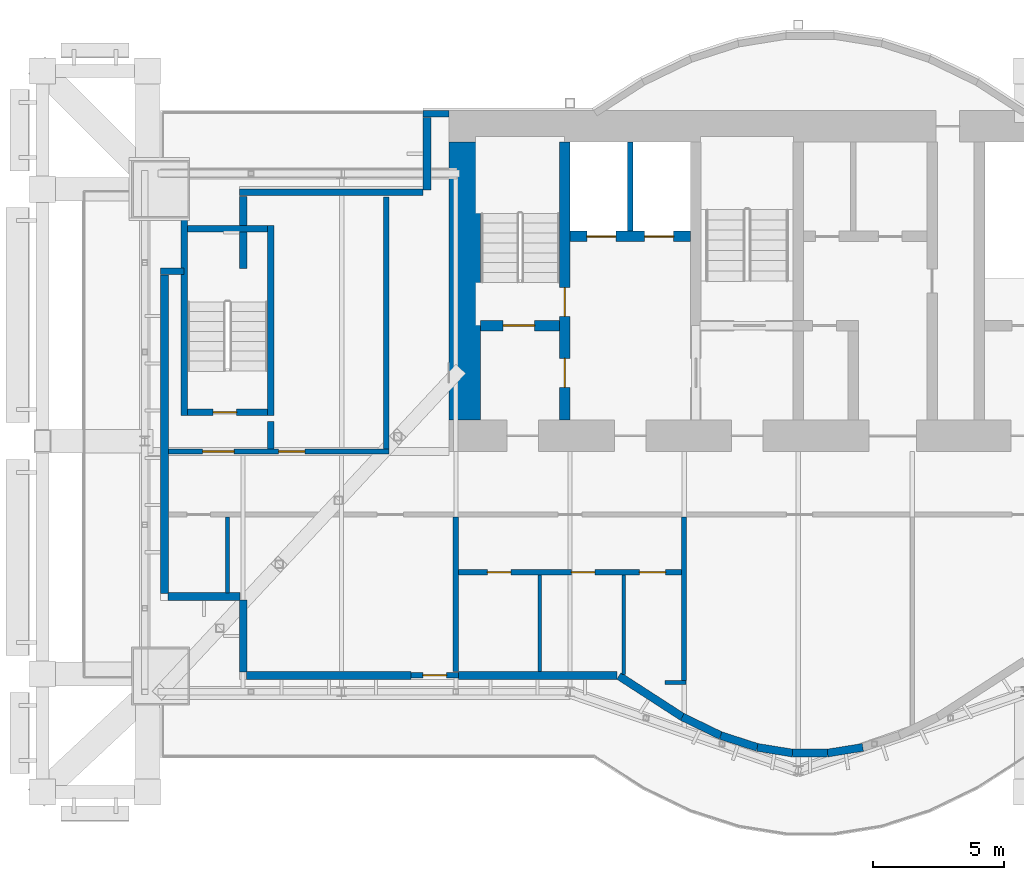
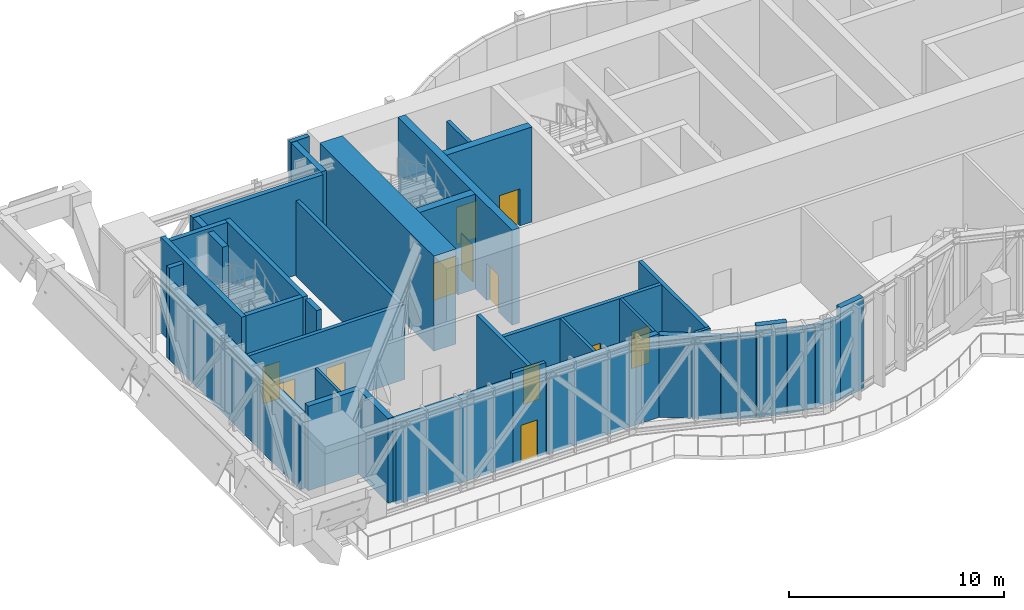
# One storey, part 13 of 20: 36 walls, 12 doors, 12 openings.
"""IFC4 building model written with IfcOpenShell, lengths in metres."""

from ifc_helpers import new_model, si_unit, direction, frame, frame_2d, origin, place, context, subcontext, project, spatial, rectangle, extrude, material, layer, layer_set, layer_usage, type_object, element, fill, save


model = new_model("IFC4")

# Units and contexts
model_context = context("Model", 3, precision=1e-05, world=origin(), true_north=direction((0.0, 1.0)))
body_context = subcontext(model_context, "Body", "Model", "MODEL_VIEW")
ifc_project = project(units=[si_unit("LENGTHUNIT", "METRE"), si_unit("AREAUNIT", "SQUARE_METRE"), si_unit("VOLUMEUNIT", "CUBIC_METRE"), si_unit("PLANEANGLEUNIT", "RADIAN"), si_unit("MASSUNIT", "GRAM", prefix="KILO")], contexts=[model_context])

# Site, building, storey
site_placement = place(None, origin())
site = spatial("IfcSite", under=ifc_project, at=site_placement, CompositionType="ELEMENT")
building_placement = place(site_placement, origin())
building = spatial("IfcBuilding", under=site, at=building_placement, Name="Bicima Exchange Tower", CompositionType="ELEMENT")
storey_placement = place(building_placement, frame((0.0, 0.0, 342.5)))
storey = spatial("IfcBuildingStorey", under=building, at=storey_placement, Name="L77", CompositionType="ELEMENT", Elevation=342.5)

# Wall, opening, door
ifc_material_1 = material(Name="Concrete C40/50", Category="concrete")
ifc_layer_1 = layer(ifc_material_1, 0.2)
ifc_layer_set_1 = layer_set([ifc_layer_1], Name="Concrete C40/50")
ifc_layer_usage_1 = layer_usage(ifc_layer_set_1, "AXIS2", "POSITIVE", -0.1)
wall_type_1 = type_object("IfcWallType", Name="Entrance frame wall 200", PredefinedType="STANDARD", material=ifc_layer_set_1)
wall_1_placement = place(storey_placement, frame((-21.64990234375, -21.52587890625, 0.0), z_axis=(0.0, 0.0, 1.0), x_axis=(-1.0, 0.0, 0.0)))
wall_1 = element("IfcWall", 1, at=wall_1_placement, inside=storey, type_object=wall_type_1, material=ifc_layer_usage_1, Name="Band door frame wall L77", PredefinedType="STANDARD", context=body_context, shape_type="SweptSolid", body=[
    extrude(rectangle(XDim=1.800048828125, YDim=0.199951171875, at=frame_2d((0.89990234375, 0.0))), origin(), (0.0, 0.0, 1.0), 5.199951171875),
])
opening_1_placement = place(wall_1_placement, frame((0.449951171875, 0.0, 0.0)))
opening_1 = element("IfcOpeningElement", 2, at=opening_1_placement, cuts=wall_1, Name="Opening DX5", PredefinedType="OPENING", context=body_context, shape_type="SweptSolid", body=[
    extrude(rectangle(XDim=0.89990234375, YDim=2.10009765625, at=frame_2d((0.449951171875, 1.050048828125))), frame((0.0, 0.11181640625, 0.0), z_axis=(0.0, -1.0, 0.0), x_axis=(1.0, 0.0, 0.0)), (0.0, 0.0, 1.0), 0.223876953125),
])
ifc_material_2 = material(Name="Anodised bronze aluminium and bonded safety glass", Category="aluminium")
door_type_1 = type_object("IfcDoorType", Name="Band terrace door, single leaf 900 x 2100", OperationType="SINGLE_SWING_LEFT", PredefinedType="DOOR", material=ifc_material_2)
door_1_placement = place(opening_1_placement, origin())
door_1 = element("IfcDoor", 3, at=door_1_placement, inside=storey, type_object=door_type_1, Name="Band door door L77", OperationType="SINGLE_SWING_LEFT", OverallHeight=2.10009765625, OverallWidth=0.89990234375, PredefinedType="DOOR", context=body_context, shape_type="SweptSolid", body=[
    extrude(rectangle(XDim=0.89990234375, YDim=2.10009765625, at=frame_2d((0.449951171875, 1.050048828125))), frame((0.0, 0.02490234375, 0.0), z_axis=(0.0, -1.0, 0.0), x_axis=(1.0, 0.0, 0.0)), (0.0, 0.0, 1.0), 0.050048828125),
])
fill(opening_1, door_1)

# Wall
ifc_material_3 = material(Name="Gypsum board partition")
ifc_layer_2 = layer(ifc_material_3, 0.199951171875)
ifc_layer_set_2 = layer_set([ifc_layer_2], Name="Gypsum board partition")
wall_type_2 = type_object("IfcWallType", Name="Fire-rated gypsum partition 200 EI120", PredefinedType="PARTITIONING", material=ifc_layer_set_2)
wall_2_placement = place(storey_placement, frame((-15.10009765625, -4.60009765625, 0.0), z_axis=(0.0, 0.0, 1.0), x_axis=(0.0, 1.0, 0.0)))
element("IfcWall", 4, at=wall_2_placement, inside=storey, type_object=wall_type_2, Name="partition wall 10", PredefinedType="PARTITIONING", context=body_context, shape_type="SweptSolid", body=[
    extrude(rectangle(XDim=3.400146484375, YDim=0.199951171875, at=frame_2d((1.7001953125, 0.0))), origin(), (0.0, 0.0, 1.0), 4.268310546875),
])

# Wall, openings, doors
ifc_layer_3 = layer(ifc_material_3, 0.199951171875)
ifc_layer_set_3 = layer_set([ifc_layer_3], Name="Gypsum board partition")
wall_type_3 = type_object("IfcWallType", Name="Fire-rated gypsum partition 200 EI60", PredefinedType="PARTITIONING", material=ifc_layer_set_3)
wall_3_placement = place(storey_placement, frame((-21.64990234375, -17.60009765625, 0.0), z_axis=(0.0, 0.0, 1.0), x_axis=(1.0, 0.0, 0.0)))
wall_3 = element("IfcWall", 5, at=wall_3_placement, inside=storey, type_object=wall_type_3, Name="partition wall 2", PredefinedType="PARTITIONING", context=body_context, shape_type="SweptSolid", body=[
    extrude(rectangle(XDim=8.5, YDim=0.199951171875, at=frame_2d((4.25, 0.0))), origin(), (0.0, 0.0, 1.0), 4.268310546875),
])
opening_2_placement = place(wall_3_placement, frame((1.10009765625, 0.0, 0.0)))
opening_2 = element("IfcOpeningElement", 6, at=opening_2_placement, cuts=wall_3, Name="Opening L77-008", PredefinedType="OPENING", context=body_context, shape_type="SweptSolid", body=[
    extrude(rectangle(XDim=0.89990234375, YDim=2.10009765625, at=frame_2d((0.449951171875, 1.050048828125))), frame((0.0, 0.11181640625, 0.0), z_axis=(0.0, -1.0, 0.0), x_axis=(1.0, 0.0, 0.0)), (0.0, 0.0, 1.0), 0.223876953125),
])
opening_3_placement = place(wall_3_placement, frame((4.300048828125, 0.0, 0.0)))
opening_3 = element("IfcOpeningElement", 7, at=opening_3_placement, cuts=wall_3, Name="Opening L77-009", PredefinedType="OPENING", context=body_context, shape_type="SweptSolid", body=[
    extrude(rectangle(XDim=0.89990234375, YDim=2.10009765625, at=frame_2d((0.449951171875, 1.050048828125))), frame((0.0, 0.11181640625, 0.0), z_axis=(0.0, -1.0, 0.0), x_axis=(1.0, 0.0, 0.0)), (0.0, 0.0, 1.0), 0.223876953125),
])
opening_4_placement = place(wall_3_placement, frame((6.89990234375, 0.0, 0.0)))
opening_4 = element("IfcOpeningElement", 8, at=opening_4_placement, cuts=wall_3, Name="Opening L77-010", PredefinedType="OPENING", context=body_context, shape_type="SweptSolid", body=[
    extrude(rectangle(XDim=1.0, YDim=2.10009765625, at=frame_2d((0.5, 1.050048828125))), frame((0.0, 0.11181640625, 0.0), z_axis=(0.0, -1.0, 0.0), x_axis=(1.0, 0.0, 0.0)), (0.0, 0.0, 1.0), 0.223876953125),
])
ifc_material_4 = material(Name="Steel fire door leaf", Category="steel")
door_type_2 = type_object("IfcDoorType", Name="Door 1000 swing FD30S", OperationType="SINGLE_SWING_LEFT", PredefinedType="DOOR", material=ifc_material_4)
door_2_placement = place(opening_4_placement, frame((1.0, 0.0, 0.0), z_axis=(0.0, 0.0, 1.0), x_axis=(-1.0, 0.0, 0.0)))
door_2 = element("IfcDoor", 9, at=door_2_placement, inside=storey, type_object=door_type_2, Name="Door", OperationType="SINGLE_SWING_LEFT", OverallHeight=2.10009765625, OverallWidth=1.0, PredefinedType="DOOR", context=body_context, shape_type="SweptSolid", body=[
    extrude(rectangle(XDim=1.0, YDim=2.10009765625, at=frame_2d((0.5, 1.050048828125))), frame((0.0, 0.02490234375, 0.0), z_axis=(0.0, -1.0, 0.0), x_axis=(1.0, 0.0, 0.0)), (0.0, 0.0, 1.0), 0.050048828125),
])
fill(opening_4, door_2)
door_type_3 = type_object("IfcDoorType", Name="Door 900 swing FD30S", OperationType="SINGLE_SWING_LEFT", PredefinedType="DOOR", material=ifc_material_4)
door_3_placement = place(opening_2_placement, frame((0.89990234375, 0.0, 0.0), z_axis=(0.0, 0.0, 1.0), x_axis=(-1.0, 0.0, 0.0)))
door_3 = element("IfcDoor", 10, at=door_3_placement, inside=storey, type_object=door_type_3, Name="Door", OperationType="SINGLE_SWING_RIGHT", OverallHeight=2.10009765625, OverallWidth=0.89990234375, PredefinedType="DOOR", context=body_context, shape_type="SweptSolid", body=[
    extrude(rectangle(XDim=0.89990234375, YDim=2.10009765625, at=frame_2d((0.449951171875, 1.050048828125))), frame((0.0, 0.02490234375, 0.0), z_axis=(0.0, -1.0, 0.0), x_axis=(1.0, 0.0, 0.0)), (0.0, 0.0, 1.0), 0.050048828125),
])
fill(opening_2, door_3)
door_4_placement = place(opening_3_placement, frame((0.89990234375, 0.0, 0.0), z_axis=(0.0, 0.0, 1.0), x_axis=(-1.0, 0.0, 0.0)))
door_4 = element("IfcDoor", 11, at=door_4_placement, inside=storey, type_object=door_type_3, Name="Door", OperationType="SINGLE_SWING_RIGHT", OverallHeight=2.10009765625, OverallWidth=0.89990234375, PredefinedType="DOOR", context=body_context, shape_type="SweptSolid", body=[
    extrude(rectangle(XDim=0.89990234375, YDim=2.10009765625, at=frame_2d((0.449951171875, 1.050048828125))), frame((0.0, 0.02490234375, 0.0), z_axis=(0.0, -1.0, 0.0), x_axis=(1.0, 0.0, 0.0)), (0.0, 0.0, 1.0), 0.050048828125),
])
fill(opening_3, door_4)

wall_4_placement = place(storey_placement, frame((-32.699951171875, -13.0, 0.0), z_axis=(0.0, 0.0, 1.0), x_axis=(1.0, 0.0, 0.0)))
wall_4 = element("IfcWall", 12, at=wall_4_placement, inside=storey, type_object=wall_type_3, Name="partition wall 4", PredefinedType="PARTITIONING", context=body_context, shape_type="SweptSolid", body=[
    extrude(rectangle(XDim=8.39990234375, YDim=0.199951171875, at=frame_2d((4.199951171875, 0.0))), origin(), (0.0, 0.0, 1.0), 4.268310546875),
])
opening_5_placement = place(wall_4_placement, frame((1.300048828125, 0.0, 0.0)))
opening_5 = element("IfcOpeningElement", 13, at=opening_5_placement, cuts=wall_4, Name="Opening L77-001", PredefinedType="OPENING", context=body_context, shape_type="SweptSolid", body=[
    extrude(rectangle(XDim=1.199951171875, YDim=2.10009765625, at=frame_2d((0.60009765625, 1.050048828125))), frame((0.0, 0.11181640625, 0.0), z_axis=(0.0, -1.0, 0.0), x_axis=(1.0, 0.0, 0.0)), (0.0, 0.0, 1.0), 0.223876953125),
])
opening_6_placement = place(wall_4_placement, frame((4.199951171875, 0.0, 0.0)))
opening_6 = element("IfcOpeningElement", 14, at=opening_6_placement, cuts=wall_4, Name="Opening L77-003", PredefinedType="OPENING", context=body_context, shape_type="SweptSolid", body=[
    extrude(rectangle(XDim=1.0, YDim=2.10009765625, at=frame_2d((0.5, 1.050048828125))), frame((0.0, 0.11181640625, 0.0), z_axis=(0.0, -1.0, 0.0), x_axis=(1.0, 0.0, 0.0)), (0.0, 0.0, 1.0), 0.223876953125),
])
door_5_placement = place(opening_6_placement, origin())
door_5 = element("IfcDoor", 15, at=door_5_placement, inside=storey, type_object=door_type_2, Name="Door", OperationType="SINGLE_SWING_RIGHT", OverallHeight=2.10009765625, OverallWidth=1.0, PredefinedType="DOOR", context=body_context, shape_type="SweptSolid", body=[
    extrude(rectangle(XDim=1.0, YDim=2.10009765625, at=frame_2d((0.5, 1.050048828125))), frame((0.0, 0.02490234375, 0.0), z_axis=(0.0, -1.0, 0.0), x_axis=(1.0, 0.0, 0.0)), (0.0, 0.0, 1.0), 0.050048828125),
])
fill(opening_6, door_5)
door_type_4 = type_object("IfcDoorType", Name="Door 1200 swing FD30S", OperationType="SINGLE_SWING_LEFT", PredefinedType="DOOR", material=ifc_material_4)
door_6_placement = place(opening_5_placement, origin())
door_6 = element("IfcDoor", 16, at=door_6_placement, inside=storey, type_object=door_type_4, Name="Door", OperationType="SINGLE_SWING_LEFT", OverallHeight=2.10009765625, OverallWidth=1.199951171875, PredefinedType="DOOR", context=body_context, shape_type="SweptSolid", body=[
    extrude(rectangle(XDim=1.199951171875, YDim=2.10009765625, at=frame_2d((0.60009765625, 1.050048828125))), frame((0.0, 0.02490234375, 0.0), z_axis=(0.0, -1.0, 0.0), x_axis=(1.0, 0.0, 0.0)), (0.0, 0.0, 1.0), 0.050048828125),
])
fill(opening_5, door_6)

# Walls
wall_5_placement = place(storey_placement, frame((-24.39990234375, -12.89990234375, 0.0), z_axis=(0.0, 0.0, 1.0), x_axis=(0.0, 1.0, 0.0)))
element("IfcWall", 17, at=wall_5_placement, inside=storey, type_object=wall_type_3, Name="partition wall 11", PredefinedType="PARTITIONING", context=body_context, shape_type="SweptSolid", body=[
    extrude(rectangle(XDim=9.599853515625, YDim=0.199951171875, at=frame_2d((4.7998046875, 0.0))), origin(), (0.0, 0.0, 1.0), 4.268310546875),
])
wall_6_placement = place(storey_placement, frame((-21.75, -21.3798828125, 0.0), z_axis=(0.0, 0.0, 1.0), x_axis=(0.0, 1.0, 0.0)))
element("IfcWall", 18, at=wall_6_placement, inside=storey, type_object=wall_type_3, Name="partition wall 12", PredefinedType="PARTITIONING", context=body_context, shape_type="SweptSolid", body=[
    extrude(rectangle(XDim=5.8798828125, YDim=0.199951171875, at=frame_2d((2.93994140625, 0.0))), origin(), (0.0, 0.0, 1.0), 4.268310546875),
])
wall_7_placement = place(storey_placement, frame((-13.050048828125, -21.72509765625, 0.0), z_axis=(0.0, 0.0, 1.0), x_axis=(0.0, 1.0, 0.0)))
element("IfcWall", 19, at=wall_7_placement, inside=storey, type_object=wall_type_3, Name="partition wall 15", PredefinedType="PARTITIONING", context=body_context, shape_type="SweptSolid", body=[
    extrude(rectangle(XDim=6.22509765625, YDim=0.199951171875, at=frame_2d((3.112548828125, 0.0))), origin(), (0.0, 0.0, 1.0), 4.268310546875),
])
ifc_layer_4 = layer(ifc_material_3, 0.14990234375)
ifc_layer_set_4 = layer_set([ifc_layer_4], Name="Gypsum board partition")
wall_type_4 = type_object("IfcWallType", Name="Gypsum partition 150", PredefinedType="PARTITIONING", material=ifc_layer_set_4)
wall_8_placement = place(storey_placement, frame((-13.77001953125, -21.800048828125, 0.0), z_axis=(0.0, 0.0, 1.0), x_axis=(1.0, 0.0, 0.0)))
element("IfcWall", 20, at=wall_8_placement, inside=storey, type_object=wall_type_4, Name="partition wall 1", PredefinedType="PARTITIONING", context=body_context, shape_type="SweptSolid", body=[
    extrude(rectangle(XDim=0.800048828125, YDim=0.14990234375, at=frame_2d((0.39990234375, 0.0))), origin(), (0.0, 0.0, 1.0), 4.268310546875),
])
wall_9_placement = place(storey_placement, frame((-30.449951171875, -18.3798828125, 0.0), z_axis=(0.0, 0.0, 1.0), x_axis=(0.0, 1.0, 0.0)))
element("IfcWall", 21, at=wall_9_placement, inside=storey, type_object=wall_type_4, Name="partition wall 9", PredefinedType="PARTITIONING", context=body_context, shape_type="SweptSolid", body=[
    extrude(rectangle(XDim=2.8798828125, YDim=0.14990234375, at=frame_2d((1.43994140625, 0.0))), origin(), (0.0, 0.0, 1.0), 4.268310546875),
])
wall_10_placement = place(storey_placement, frame((-18.550048828125, -21.3798828125, 0.0), z_axis=(0.0, 0.0, 1.0), x_axis=(0.0, 1.0, 0.0)))
element("IfcWall", 22, at=wall_10_placement, inside=storey, type_object=wall_type_4, Name="partition wall 13", PredefinedType="PARTITIONING", context=body_context, shape_type="SweptSolid", body=[
    extrude(rectangle(XDim=3.679931640625, YDim=0.14990234375, at=frame_2d((1.83984375, 0.0))), origin(), (0.0, 0.0, 1.0), 4.268310546875),
])
wall_11_placement = place(storey_placement, frame((-15.35009765625, -21.489990234375, 0.0), z_axis=(0.0, 0.0, 1.0), x_axis=(0.0, 1.0, 0.0)))
element("IfcWall", 23, at=wall_11_placement, inside=storey, type_object=wall_type_4, Name="partition wall 14", PredefinedType="PARTITIONING", context=body_context, shape_type="SweptSolid", body=[
    extrude(rectangle(XDim=3.7900390625, YDim=0.14990234375, at=frame_2d((1.89501953125, 0.0))), origin(), (0.0, 0.0, 1.0), 4.268310546875),
])
ifc_layer_5 = layer(ifc_material_1, 1.199951171875)
ifc_layer_set_5 = layer_set([ifc_layer_5], Name="Concrete C40/50")
wall_type_5 = type_object("IfcWallType", Name="RC core wall 1200 C40/50", PredefinedType="SHEAR", material=ifc_layer_set_5)
wall_12_placement = place(storey_placement, frame((-21.39990234375, -11.800048828125, 0.0), z_axis=(0.0, 0.0, 1.0), x_axis=(0.0, 1.0, 0.0)))
element("IfcWall", 24, at=wall_12_placement, inside=storey, type_object=wall_type_5, Name="Core wall west", PredefinedType="SHEAR", context=body_context, shape_type="SweptSolid", body=[
    extrude(rectangle(XDim=10.60009765625, YDim=1.199951171875, at=frame_2d((5.300048828125, 0.0))), origin(), (0.0, 0.0, 1.0), 5.39990234375),
])
ifc_material_5 = material(Name="Concrete C50/60", Category="concrete")
ifc_layer_6 = layer(ifc_material_5, 0.25)
ifc_layer_set_6 = layer_set([ifc_layer_6], Name="Concrete C50/60")
wall_type_6 = type_object("IfcWallType", Name="RC core wall 250 C50/60", PredefinedType="SHEAR", material=ifc_layer_set_6)
wall_13_placement = place(storey_placement, frame((-28.800048828125, -12.89990234375, 0.0), z_axis=(0.0, 0.0, 1.0), x_axis=(0.0, 1.0, 0.0)))
element("IfcWall", 25, at=wall_13_placement, inside=storey, type_object=wall_type_6, Name="stair wall 10", PredefinedType="SHEAR", context=body_context, shape_type="SweptSolid", body=[
    extrude(rectangle(XDim=1.0498046875, YDim=0.25, at=frame_2d((0.52490234375, 0.0))), origin(), (0.0, 0.0, 1.0), 5.39990234375),
])

# Wall, openings, doors
ifc_layer_7 = layer(ifc_material_1, 0.39990234375)
ifc_layer_set_7 = layer_set([ifc_layer_7], Name="Concrete C40/50")
wall_type_7 = type_object("IfcWallType", Name="RC core wall 400 C40/50", PredefinedType="SHEAR", material=ifc_layer_set_7)
wall_14_placement = place(storey_placement, frame((-17.39990234375, -4.800048828125, 0.0), z_axis=(0.0, 0.0, 1.0), x_axis=(1.0, 0.0, 0.0)))
wall_14 = element("IfcWall", 26, at=wall_14_placement, inside=storey, type_object=wall_type_7, Name="shear wall 6", PredefinedType="SHEAR", context=body_context, shape_type="SweptSolid", body=[
    extrude(rectangle(XDim=4.599853515625, YDim=0.39990234375, at=frame_2d((2.2998046875, 0.0))), origin(), (0.0, 0.0, 1.0), 5.39990234375),
])
opening_7_placement = place(wall_14_placement, frame((0.64990234375, 0.0, 0.0)))
opening_7 = element("IfcOpeningElement", 27, at=opening_7_placement, cuts=wall_14, Name="Opening LD-FF1-L77", PredefinedType="OPENING", context=body_context, shape_type="SweptSolid", body=[
    extrude(rectangle(XDim=1.10009765625, YDim=2.10009765625, at=frame_2d((0.550048828125, 1.050048828125))), frame((0.0, 0.2119140625, 0.0), z_axis=(0.0, -1.0, 0.0), x_axis=(1.0, 0.0, 0.0)), (0.0, 0.0, 1.0), 0.423828125),
])
opening_8_placement = place(wall_14_placement, frame((2.85009765625, 0.0, 0.0)))
opening_8 = element("IfcOpeningElement", 28, at=opening_8_placement, cuts=wall_14, Name="Opening LD-FF3-L77", PredefinedType="OPENING", context=body_context, shape_type="SweptSolid", body=[
    extrude(rectangle(XDim=1.10009765625, YDim=2.10009765625, at=frame_2d((0.550048828125, 1.050048828125))), frame((0.0, 0.2119140625, 0.0), z_axis=(0.0, -1.0, 0.0), x_axis=(1.0, 0.0, 0.0)), (0.0, 0.0, 1.0), 0.423828125),
])
ifc_material_6 = material(Name="Stainless steel", Category="steel")
door_type_5 = type_object("IfcDoorType", Name="Lift landing door 1100 sliding", OperationType="DOUBLE_DOOR_SLIDING", PredefinedType="DOOR", material=ifc_material_6)
door_7_placement = place(opening_7_placement, origin())
door_7 = element("IfcDoor", 29, at=door_7_placement, inside=storey, type_object=door_type_5, Name="Lift landing door FF1", OperationType="DOUBLE_DOOR_SLIDING", OverallHeight=2.10009765625, OverallWidth=1.10009765625, PredefinedType="DOOR", context=body_context, shape_type="SweptSolid", body=[
    extrude(rectangle(XDim=1.10009765625, YDim=2.10009765625, at=frame_2d((0.550048828125, 1.050048828125))), frame((0.0, 0.02490234375, 0.0), z_axis=(0.0, -1.0, 0.0), x_axis=(1.0, 0.0, 0.0)), (0.0, 0.0, 1.0), 0.050048828125),
])
fill(opening_7, door_7)
door_8_placement = place(opening_8_placement, origin())
door_8 = element("IfcDoor", 30, at=door_8_placement, inside=storey, type_object=door_type_5, Name="Lift landing door FF3", OperationType="DOUBLE_DOOR_SLIDING", OverallHeight=2.10009765625, OverallWidth=1.10009765625, PredefinedType="DOOR", context=body_context, shape_type="SweptSolid", body=[
    extrude(rectangle(XDim=1.10009765625, YDim=2.10009765625, at=frame_2d((0.550048828125, 1.050048828125))), frame((0.0, 0.02490234375, 0.0), z_axis=(0.0, -1.0, 0.0), x_axis=(1.0, 0.0, 0.0)), (0.0, 0.0, 1.0), 0.050048828125),
])
fill(opening_8, door_8)

# Wall, opening, door
ifc_layer_8 = layer(ifc_material_5, 0.39990234375)
ifc_layer_set_8 = layer_set([ifc_layer_8], Name="Concrete C50/60")
wall_type_8 = type_object("IfcWallType", Name="RC core wall 400 C50/60", PredefinedType="SHEAR", material=ifc_layer_set_8)
wall_15_placement = place(storey_placement, frame((-20.800048828125, -8.199951171875, 0.0), z_axis=(0.0, 0.0, 1.0), x_axis=(1.0, 0.0, 0.0)))
wall_15 = element("IfcWall", 31, at=wall_15_placement, inside=storey, type_object=wall_type_8, Name="stair wall 1", PredefinedType="SHEAR", context=body_context, shape_type="SweptSolid", body=[
    extrude(rectangle(XDim=3.0, YDim=0.39990234375, at=frame_2d((1.5, 0.0))), origin(), (0.0, 0.0, 1.0), 5.39990234375),
])
opening_9_placement = place(wall_15_placement, frame((0.85009765625, 0.0, 0.0)))
opening_9 = element("IfcOpeningElement", 32, at=opening_9_placement, cuts=wall_15, Name="Opening L77-C01", PredefinedType="OPENING", context=body_context, shape_type="SweptSolid", body=[
    extrude(rectangle(XDim=1.199951171875, YDim=2.10009765625, at=frame_2d((0.60009765625, 1.050048828125))), frame((0.0, 0.2119140625, 0.0), z_axis=(0.0, -1.0, 0.0), x_axis=(1.0, 0.0, 0.0)), (0.0, 0.0, 1.0), 0.423828125),
])
door_type_6 = type_object("IfcDoorType", Name="Door 1200 swing FD60S", OperationType="SINGLE_SWING_LEFT", PredefinedType="DOOR", material=ifc_material_4)
door_9_placement = place(opening_9_placement, origin())
door_9 = element("IfcDoor", 33, at=door_9_placement, inside=storey, type_object=door_type_6, Name="Core door", OperationType="SINGLE_SWING_LEFT", OverallHeight=2.10009765625, OverallWidth=1.199951171875, PredefinedType="DOOR", context=body_context, shape_type="SweptSolid", body=[
    extrude(rectangle(XDim=1.199951171875, YDim=2.10009765625, at=frame_2d((0.60009765625, 1.050048828125))), frame((0.0, 0.02490234375, 0.0), z_axis=(0.0, -1.0, 0.0), x_axis=(1.0, 0.0, 0.0)), (0.0, 0.0, 1.0), 0.050048828125),
])
fill(opening_9, door_9)

# Wall, openings, doors
wall_16_placement = place(storey_placement, frame((-17.60009765625, -11.800048828125, 0.0), z_axis=(0.0, 0.0, 1.0), x_axis=(0.0, 1.0, 0.0)))
wall_16 = element("IfcWall", 34, at=wall_16_placement, inside=storey, type_object=wall_type_8, Name="stair wall 9", PredefinedType="SHEAR", context=body_context, shape_type="SweptSolid", body=[
    extrude(rectangle(XDim=10.60009765625, YDim=0.39990234375, at=frame_2d((5.300048828125, 0.0))), origin(), (0.0, 0.0, 1.0), 5.39990234375),
])
opening_10_placement = place(wall_16_placement, frame((1.25, 0.0, 0.0)))
opening_10 = element("IfcOpeningElement", 35, at=opening_10_placement, cuts=wall_16, Name="Opening L77-C02", PredefinedType="OPENING", context=body_context, shape_type="SweptSolid", body=[
    extrude(rectangle(XDim=1.10009765625, YDim=2.10009765625, at=frame_2d((0.550048828125, 1.050048828125))), frame((0.0, 0.2119140625, 0.0), z_axis=(0.0, -1.0, 0.0), x_axis=(1.0, 0.0, 0.0)), (0.0, 0.0, 1.0), 0.423828125),
])
opening_11_placement = place(wall_16_placement, frame((3.949951171875, 0.0, 0.0)))
opening_11 = element("IfcOpeningElement", 36, at=opening_11_placement, cuts=wall_16, Name="Opening L77-C08", PredefinedType="OPENING", context=body_context, shape_type="SweptSolid", body=[
    extrude(rectangle(XDim=1.10009765625, YDim=2.10009765625, at=frame_2d((0.550048828125, 1.050048828125))), frame((0.0, 0.2119140625, 0.0), z_axis=(0.0, -1.0, 0.0), x_axis=(1.0, 0.0, 0.0)), (0.0, 0.0, 1.0), 0.423828125),
])
door_type_7 = type_object("IfcDoorType", Name="Door 1100 swing FD60S", OperationType="SINGLE_SWING_LEFT", PredefinedType="DOOR", material=ifc_material_4)
door_10_placement = place(opening_10_placement, frame((1.10009765625, 0.0, 0.0), z_axis=(0.0, 0.0, 1.0), x_axis=(-1.0, 0.0, 0.0)))
door_10 = element("IfcDoor", 37, at=door_10_placement, inside=storey, type_object=door_type_7, Name="Core door", OperationType="SINGLE_SWING_LEFT", OverallHeight=2.10009765625, OverallWidth=1.10009765625, PredefinedType="DOOR", context=body_context, shape_type="SweptSolid", body=[
    extrude(rectangle(XDim=1.10009765625, YDim=2.10009765625, at=frame_2d((0.550048828125, 1.050048828125))), frame((0.0, 0.02490234375, 0.0), z_axis=(0.0, -1.0, 0.0), x_axis=(1.0, 0.0, 0.0)), (0.0, 0.0, 1.0), 0.050048828125),
])
fill(opening_10, door_10)
door_11_placement = place(opening_11_placement, frame((1.10009765625, 0.0, 0.0), z_axis=(0.0, 0.0, 1.0), x_axis=(-1.0, 0.0, 0.0)))
door_11 = element("IfcDoor", 38, at=door_11_placement, inside=storey, type_object=door_type_7, Name="Core door", OperationType="SINGLE_SWING_LEFT", OverallHeight=2.10009765625, OverallWidth=1.10009765625, PredefinedType="DOOR", context=body_context, shape_type="SweptSolid", body=[
    extrude(rectangle(XDim=1.10009765625, YDim=2.10009765625, at=frame_2d((0.550048828125, 1.050048828125))), frame((0.0, 0.02490234375, 0.0), z_axis=(0.0, -1.0, 0.0), x_axis=(1.0, 0.0, 0.0)), (0.0, 0.0, 1.0), 0.050048828125),
])
fill(opening_11, door_11)

# Walls
ifc_layer_9 = layer(ifc_material_5, 0.25)
ifc_layer_set_9 = layer_set([ifc_layer_9], Name="Concrete C50/60")
wall_type_9 = type_object("IfcWallType", Name="RC stair enclosure wall 250 C50/60", PredefinedType="SHEAR", material=ifc_layer_set_9)
wall_17_placement = place(storey_placement, frame((-32.10009765625, -11.625, 0.0), z_axis=(0.0, 0.0, 1.0), x_axis=(0.0, 1.0, 0.0)))
element("IfcWall", 39, at=wall_17_placement, inside=storey, type_object=wall_type_9, Name="West end exit stair wall W", PredefinedType="SHEAR", context=body_context, shape_type="SweptSolid", body=[
    extrude(rectangle(XDim=7.52490234375, YDim=0.25, at=frame_2d((3.762451171875, 0.0))), origin(), (0.0, 0.0, 1.0), 5.39990234375),
])
wall_18_placement = place(storey_placement, frame((-28.800048828125, -11.625, 0.0), z_axis=(0.0, 0.0, 1.0), x_axis=(0.0, 1.0, 0.0)))
element("IfcWall", 40, at=wall_18_placement, inside=storey, type_object=wall_type_9, Name="West end exit stair wall E", PredefinedType="SHEAR", context=body_context, shape_type="SweptSolid", body=[
    extrude(rectangle(XDim=7.25, YDim=0.25, at=frame_2d((3.625, 0.0))), origin(), (0.0, 0.0, 1.0), 5.39990234375),
])

# Wall, opening, door
wall_19_placement = place(storey_placement, frame((-31.97509765625, -11.5, 0.0), z_axis=(0.0, 0.0, 1.0), x_axis=(1.0, 0.0, 0.0)))
wall_19 = element("IfcWall", 41, at=wall_19_placement, inside=storey, type_object=wall_type_9, Name="West end exit stair wall S", PredefinedType="SHEAR", context=body_context, shape_type="SweptSolid", body=[
    extrude(rectangle(XDim=3.050048828125, YDim=0.25, at=frame_2d((1.52490234375, 0.0))), origin(), (0.0, 0.0, 1.0), 5.39990234375),
])
opening_12_placement = place(wall_19_placement, frame((0.97509765625, 0.0, 0.0)))
opening_12 = element("IfcOpeningElement", 42, at=opening_12_placement, cuts=wall_19, Name="Opening L77-002", PredefinedType="OPENING", context=body_context, shape_type="SweptSolid", body=[
    extrude(rectangle(XDim=0.89990234375, YDim=2.10009765625, at=frame_2d((0.449951171875, 1.050048828125))), frame((0.0, 0.136962890625, 0.0), z_axis=(0.0, -1.0, 0.0), x_axis=(1.0, 0.0, 0.0)), (0.0, 0.0, 1.0), 0.27392578125),
])
door_type_8 = type_object("IfcDoorType", Name="Door 900 swing FD60S", OperationType="SINGLE_SWING_LEFT", PredefinedType="DOOR", material=ifc_material_4)
door_12_placement = place(opening_12_placement, origin())
door_12 = element("IfcDoor", 43, at=door_12_placement, inside=storey, type_object=door_type_8, Name="Door", OperationType="SINGLE_SWING_LEFT", OverallHeight=2.10009765625, OverallWidth=0.89990234375, PredefinedType="DOOR", context=body_context, shape_type="SweptSolid", body=[
    extrude(rectangle(XDim=0.89990234375, YDim=2.10009765625, at=frame_2d((0.449951171875, 1.050048828125))), frame((0.0, 0.02490234375, 0.0), z_axis=(0.0, -1.0, 0.0), x_axis=(1.0, 0.0, 0.0)), (0.0, 0.0, 1.0), 0.050048828125),
])
fill(opening_12, door_12)

# Walls
wall_20_placement = place(storey_placement, frame((-31.97509765625, -4.5, 0.0), z_axis=(0.0, 0.0, 1.0), x_axis=(1.0, 0.0, 0.0)))
element("IfcWall", 44, at=wall_20_placement, inside=storey, type_object=wall_type_9, Name="West end exit stair wall N", PredefinedType="SHEAR", context=body_context, shape_type="SweptSolid", body=[
    extrude(rectangle(XDim=3.050048828125, YDim=0.25, at=frame_2d((1.52490234375, 0.0))), origin(), (0.0, 0.0, 1.0), 5.39990234375),
])
ifc_layer_10 = layer(ifc_material_1, 0.25)
ifc_layer_set_10 = layer_set([ifc_layer_10], Name="Concrete C40/50")
ifc_layer_usage_2 = layer_usage(ifc_layer_set_10, "AXIS2", "POSITIVE", -0.125)
wall_type_10 = type_object("IfcWallType", Name="Rear backup wall 250", PredefinedType="STANDARD", material=ifc_layer_set_10)
wall_21_placement = place(storey_placement, frame((-22.0, -0.125, 0.0), z_axis=(0.0, 0.0, 1.0), x_axis=(-1.0, 0.0, 0.0)))
element("IfcWall", 45, at=wall_21_placement, inside=storey, type_object=wall_type_10, material=ifc_layer_usage_2, Name="Rear backup wall L77 25", PredefinedType="STANDARD", context=body_context, shape_type="SweptSolid", body=[
    extrude(rectangle(XDim=1.0, YDim=0.25, at=frame_2d((0.5, 0.0))), origin(), (0.0, 0.0, 1.0), 5.199951171875),
])
wall_22_placement = place(storey_placement, frame((-23.0, -3.125, 0.0), z_axis=(0.0, 0.0, 1.0), x_axis=(-1.0, 0.0, 0.0)))
element("IfcWall", 46, at=wall_22_placement, inside=storey, type_object=wall_type_10, material=ifc_layer_usage_2, Name="Rear backup wall L77 27", PredefinedType="STANDARD", context=body_context, shape_type="SweptSolid", body=[
    extrude(rectangle(XDim=7.0, YDim=0.25, at=frame_2d((3.5, 0.0))), origin(), (0.0, 0.0, 1.0), 5.199951171875),
])
wall_23_placement = place(storey_placement, frame((-32.110107421875, -6.125, 0.0), z_axis=(0.0, 0.0, 1.0), x_axis=(-1.0, 0.0, 0.0)))
element("IfcWall", 47, at=wall_23_placement, inside=storey, type_object=wall_type_10, material=ifc_layer_usage_2, Name="Rear backup wall L77 29", PredefinedType="STANDARD", context=body_context, shape_type="SweptSolid", body=[
    extrude(rectangle(XDim=0.889892578125, YDim=0.25, at=frame_2d((0.44482421875, 0.0))), origin(), (0.0, 0.0, 1.0), 5.199951171875),
])
ifc_layer_11 = layer(ifc_material_1, 0.3)
ifc_layer_set_11 = layer_set([ifc_layer_11], Name="Concrete C40/50")
ifc_layer_usage_3 = layer_usage(ifc_layer_set_11, "AXIS2", "POSITIVE", -0.15)
wall_type_11 = type_object("IfcWallType", Name="Refuge band wall 300", PredefinedType="STANDARD", material=ifc_layer_set_11)
for number, where, z_axis, x_axis, name in (
    (48, (-22.85009765625, -0.27587890625, 0.0), (0.0, 0.0, 1.0), (0.0, -1.0, 0.0), "Refuge band wall L77"),
    (49, (-29.85009765625, -3.27587890625, 0.0), (0.0, 0.0, 1.0), (0.0, -1.0, 0.0), "Refuge band wall L77"),
):
    element("IfcWall", number, at=place(storey_placement, frame(where, z_axis=z_axis, x_axis=x_axis)), inside=storey, type_object=wall_type_11, material=ifc_layer_usage_3, Name=name, PredefinedType="STANDARD", context=body_context, shape_type="SweptSolid", body=[
        extrude(rectangle(XDim=2.748291015625, YDim=0.300048828125, at=frame_2d((1.3740234375, 0.0))), origin(), (0.0, 0.0, 1.0), 5.199951171875),
    ])
wall_24_placement = place(storey_placement, frame((-32.85009765625, -6.27587890625, 0.0), z_axis=(0.0, 0.0, 1.0), x_axis=(0.0, -1.0, 0.0)))
element("IfcWall", 50, at=wall_24_placement, inside=storey, type_object=wall_type_11, material=ifc_layer_usage_3, Name="Refuge band wall L77", PredefinedType="STANDARD", context=body_context, shape_type="SweptSolid", body=[
    extrude(rectangle(XDim=12.124267578125, YDim=0.300048828125, at=frame_2d((6.06201171875, 0.0))), origin(), (0.0, 0.0, 1.0), 4.2880859375),
])
for number, where, z_axis, x_axis, name in (
    (51, (-32.72412109375, -18.52587890625, 0.0), (0.0, 0.0, 1.0), (1.0, 0.0, 0.0), "Refuge band wall L77"),
    (52, (-29.85009765625, -18.65185546875, 0.0), (0.0, 0.0, 1.0), (0.0, -1.0, 0.0), "Refuge band wall L77"),
):
    element("IfcWall", number, at=place(storey_placement, frame(where, z_axis=z_axis, x_axis=x_axis)), inside=storey, type_object=wall_type_11, material=ifc_layer_usage_3, Name=name, PredefinedType="STANDARD", context=body_context, shape_type="SweptSolid", body=[
        extrude(rectangle(XDim=2.748291015625, YDim=0.300048828125, at=frame_2d((1.3740234375, 0.0))), origin(), (0.0, 0.0, 1.0), 4.796142578125),
    ])
wall_25_placement = place(storey_placement, frame((-29.72412109375, -21.52587890625, 0.0), z_axis=(0.0, 0.0, 1.0), x_axis=(1.0, 0.0, 0.0)))
element("IfcWall", 53, at=wall_25_placement, inside=storey, type_object=wall_type_11, material=ifc_layer_usage_3, Name="Refuge band wall L77", PredefinedType="STANDARD", context=body_context, shape_type="SweptSolid", body=[
    extrude(rectangle(XDim=6.274169921875, YDim=0.300048828125, at=frame_2d((3.13720703125, 0.0))), origin(), (0.0, 0.0, 1.0), 4.796142578125),
])
wall_26_placement = place(storey_placement, frame((-21.64990234375, -21.52587890625, 0.0), z_axis=(0.0, 0.0, 1.0), x_axis=(1.0, 0.0, 0.0)))
element("IfcWall", 54, at=wall_26_placement, inside=storey, type_object=wall_type_11, material=ifc_layer_usage_3, Name="Refuge band wall L77", PredefinedType="STANDARD", context=body_context, shape_type="SweptSolid", body=[
    extrude(rectangle(XDim=6.03515625, YDim=0.300048828125, at=frame_2d((3.017578125, 0.0))), origin(), (0.0, 0.0, 1.0), 4.745361328125),
])
wall_27_placement = place(storey_placement, frame((-15.533203125, -21.550048828125, 0.0), z_axis=(0.0, 0.0, 1.0), x_axis=(0.839779682339, -0.542927329512, 0.0)))
element("IfcWall", 55, at=wall_27_placement, inside=storey, type_object=wall_type_11, material=ifc_layer_usage_3, Name="Refuge band wall L77", PredefinedType="STANDARD", context=body_context, shape_type="SweptSolid", body=[
    extrude(rectangle(XDim=2.875244140625, YDim=0.300048828125, at=frame_2d((1.4375, 0.0))), origin(), (0.0, 0.0, 1.0), 4.671630859375),
])
wall_28_placement = place(storey_placement, frame((-13.11865234375, -23.111083984375, 0.0), z_axis=(0.0, 0.0, 1.0), x_axis=(0.899798026589, -0.436306671214, 0.0)))
element("IfcWall", 56, at=wall_28_placement, inside=storey, type_object=wall_type_11, material=ifc_layer_usage_3, Name="Refuge band wall L77", PredefinedType="STANDARD", context=body_context, shape_type="SweptSolid", body=[
    extrude(rectangle(XDim=1.62548828125, YDim=0.300048828125, at=frame_2d((0.812744140625, 0.0))), origin(), (0.0, 0.0, 1.0), 4.671630859375),
])
wall_29_placement = place(storey_placement, frame((-11.656005859375, -23.8203125, 0.0), z_axis=(0.0, 0.0, 1.0), x_axis=(0.951539081691, -0.307527845919, 0.0)))
element("IfcWall", 57, at=wall_29_placement, inside=storey, type_object=wall_type_11, material=ifc_layer_usage_3, Name="Refuge band wall L77", PredefinedType="STANDARD", context=body_context, shape_type="SweptSolid", body=[
    extrude(rectangle(XDim=1.467041015625, YDim=0.300048828125, at=frame_2d((0.7333984375, 0.0))), origin(), (0.0, 0.0, 1.0), 5.199951171875),
])
wall_30_placement = place(storey_placement, frame((-10.260009765625, -24.271484375, 0.0), z_axis=(0.0, 0.0, 1.0), x_axis=(0.987194777017, -0.15951950423, 0.0)))
element("IfcWall", 58, at=wall_30_placement, inside=storey, type_object=wall_type_11, material=ifc_layer_usage_3, Name="Refuge band wall L77", PredefinedType="STANDARD", context=body_context, shape_type="SweptSolid", body=[
    extrude(rectangle(XDim=1.36376953125, YDim=0.300048828125, at=frame_2d((0.681884765625, 0.0))), origin(), (0.0, 0.0, 1.0), 4.6005859375),
])
wall_31_placement = place(storey_placement, frame((-8.913818359375, -24.489013671875, 0.0), z_axis=(0.0, 0.0, 1.0), x_axis=(1.0, 0.0, 0.0)))
element("IfcWall", 59, at=wall_31_placement, inside=storey, type_object=wall_type_11, material=ifc_layer_usage_3, Name="Refuge band wall L77", PredefinedType="STANDARD", context=body_context, shape_type="SweptSolid", body=[
    extrude(rectangle(XDim=1.32763671875, YDim=0.300048828125, at=frame_2d((0.663818359375, 0.0))), origin(), (0.0, 0.0, 1.0), 4.6005859375),
])
wall_32_placement = place(storey_placement, frame((-7.586181640625, -24.489013671875, 0.0), z_axis=(0.0, 0.0, 1.0), x_axis=(0.987194777017, 0.15951950423, 0.0)))
element("IfcWall", 60, at=wall_32_placement, inside=storey, type_object=wall_type_11, material=ifc_layer_usage_3, Name="Refuge band wall L77", PredefinedType="STANDARD", context=body_context, shape_type="SweptSolid", body=[
    extrude(rectangle(XDim=1.36376953125, YDim=0.300048828125, at=frame_2d((0.681884765625, 0.0))), origin(), (0.0, 0.0, 1.0), 5.199951171875),
])

save(model, "model.ifc")
